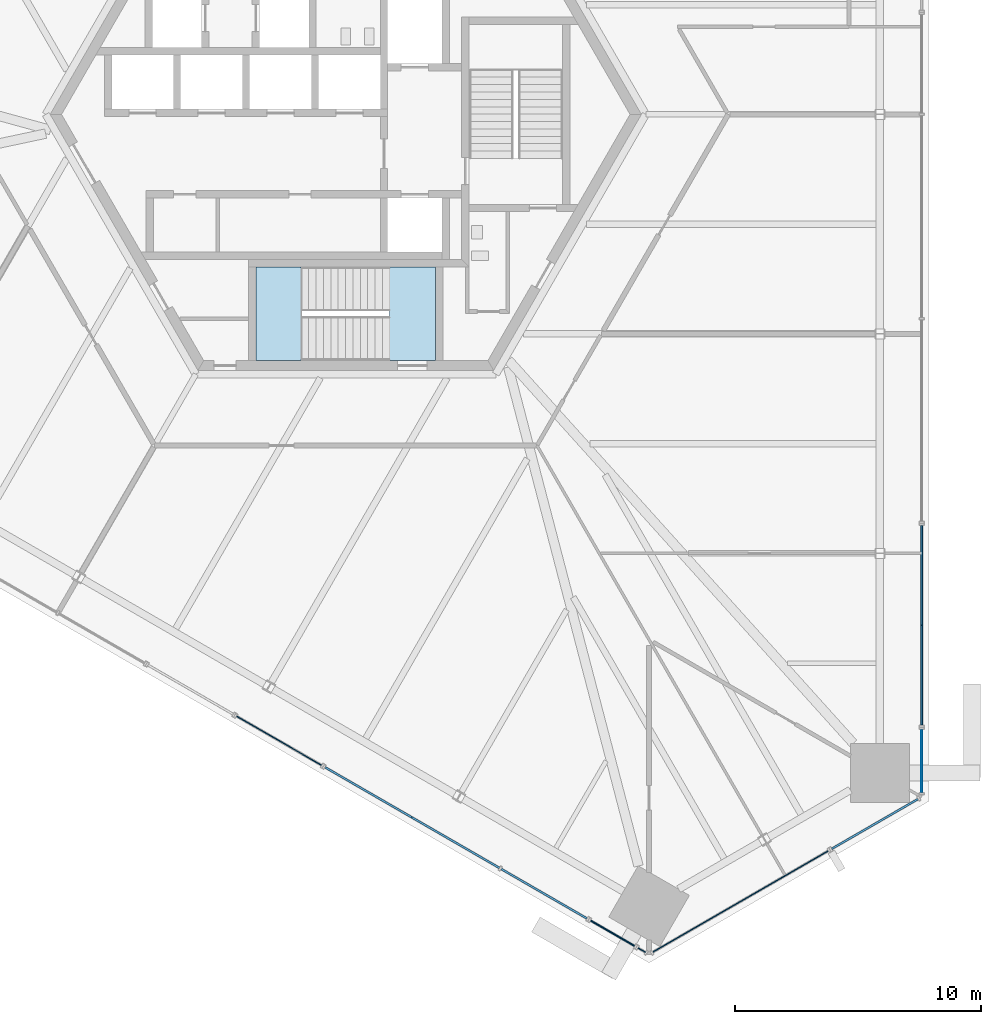
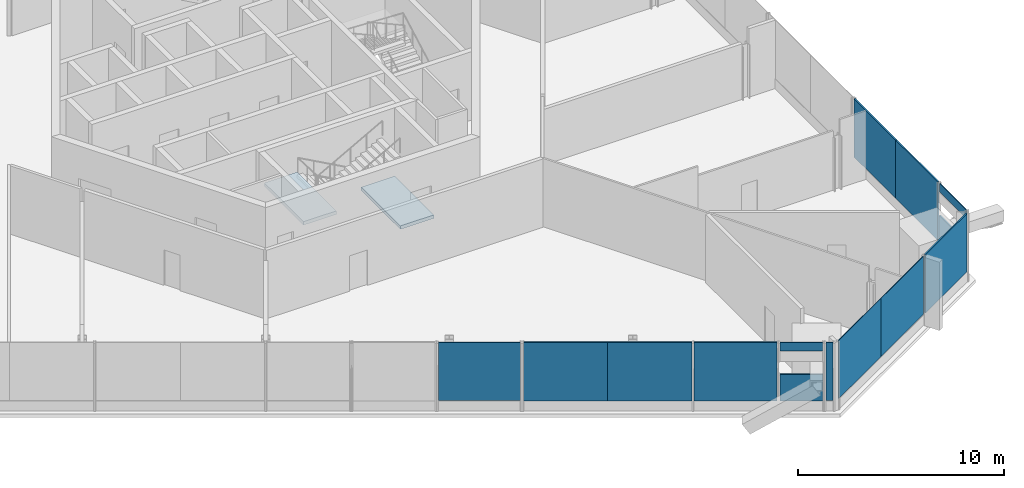
# One storey, part 12 of 22: 14 plates, 2 slabs, 11 elements without a shape of their own.
"""IFC4 building model written with IfcOpenShell, lengths in metres."""

from ifc_helpers import new_model, si_unit, direction, frame, origin, origin_2d, place, context, subcontext, project, spatial, polyline, rectangle, outline, extrude, source, transform, mapped, material, layer, layer_set, type_object, element, aggregate, save


model = new_model("IFC4")

# Units and contexts
model_context = context("Model", 3, precision=1e-05, world=origin(), true_north=direction((0.0, 1.0)))
body_context = subcontext(model_context, "Body", "Model", "MODEL_VIEW")
ifc_project = project(units=[si_unit("LENGTHUNIT", "METRE"), si_unit("AREAUNIT", "SQUARE_METRE"), si_unit("VOLUMEUNIT", "CUBIC_METRE"), si_unit("PLANEANGLEUNIT", "RADIAN"), si_unit("MASSUNIT", "GRAM", prefix="KILO")], contexts=[model_context])

# Site, building, storey
site_placement = place(None, origin())
site = spatial("IfcSite", under=ifc_project, at=site_placement, CompositionType="ELEMENT")
building_placement = place(site_placement, origin())
building = spatial("IfcBuilding", under=site, at=building_placement, Name="Triune Harvest Tower", CompositionType="ELEMENT")
storey_placement = place(building_placement, frame((0.0, 0.0, 50.39990234375)))
storey = spatial("IfcBuildingStorey", under=building, at=storey_placement, Name="L11", CompositionType="ELEMENT", Elevation=50.39990234375)

# Stair, slabs
ifc_material_1 = material(Name="Concrete 40 MPa", Category="concrete")
stair_type = type_object("IfcStairType", Name="Exit stair 1800 half turn", PredefinedType="HALF_TURN_STAIR", material=ifc_material_1)
stair_placement = place(storey_placement, origin())
stair = element("IfcStair", 1, at=stair_placement, inside=storey, type_object=stair_type, Name="Exit stair south", PredefinedType="HALF_TURN_STAIR")
ifc_material_2 = material(Name="Concrete 40 MPa", Category="concrete")
ifc_layer_1 = layer(ifc_material_2, 0.199951171875)
ifc_layer_set_1 = layer_set([ifc_layer_1], Name="Concrete 40 MPa")
slab_type = type_object("IfcSlabType", Name="Stair landing 200", PredefinedType="LANDING", material=ifc_layer_set_1)
shared_shape_1 = source(origin(), body_context, "Body", "SweptSolid", [
    extrude(outline(polyline([(3.64990234375, -6.18994140625), (1.780029296875, -6.18994140625), (1.780029296875, -9.989990234375), (3.64990234375, -9.989990234375), (3.64990234375, -6.18994140625)])), origin(), (0.0, 0.0, 1.0), 0.199951171875),
])
slab_1_placement = place(storey_placement, frame((0.0, 0.0, -0.199951171875)))
slab_1 = element("IfcSlab", 2, at=slab_1_placement, type_object=slab_type, Name="ST-2 landing 1", PredefinedType="LANDING", context=body_context, shape_type="MappedRepresentation", body=[
    mapped(shared_shape_1, transform((0.0, 0.0, 0.0), scale=1.0)),
])
shared_shape_2 = source(origin(), body_context, "Body", "SweptSolid", [
    extrude(outline(polyline([(-1.81005859375, -6.18994140625), (-3.64990234375, -6.18994140625), (-3.64990234375, -9.989990234375), (-1.81005859375, -9.989990234375), (-1.81005859375, -6.18994140625)])), origin(), (0.0, 0.0, 1.0), 0.199951171875),
])
slab_2_placement = place(storey_placement, frame((0.0, 0.0, 1.9501953125)))
slab_2 = element("IfcSlab", 3, at=slab_2_placement, type_object=slab_type, Name="ST-2 landing 2", PredefinedType="LANDING", context=body_context, shape_type="MappedRepresentation", body=[
    mapped(shared_shape_2, transform((0.0, 0.0, 0.0), scale=1.0)),
])
aggregate(stair, [slab_1, slab_2])

# Curtain wall, plate
ifc_material_3 = material(Name="Aluminium bronze anodised", Category="aluminium")
curtain_wall_type_1 = type_object("IfcCurtainWallType", Name="CW-8 Farm floor curtain wall with insulated spandrel infill", PredefinedType="NOTDEFINED", material=ifc_material_3)
curtain_wall_1_placement = place(storey_placement, origin())
curtain_wall_1 = element("IfcCurtainWall", 4, at=curtain_wall_1_placement, inside=storey, type_object=curtain_wall_type_1, Name="CW-8 B1-F1 L11 run 1")
ifc_material_4 = material(Name="Insulated spandrel panel, bronze aluminium pan", Category="aluminium")
ifc_layer_2 = layer(ifc_material_4, 0.080078125)
ifc_layer_set_2 = layer_set([ifc_layer_2], Name="Insulated spandrel panel, bronze aluminium pan")
plate_type_1 = type_object("IfcPlateType", Name="SP-1 insulated spandrel panel 80", PredefinedType="CURTAIN_PANEL", material=ifc_layer_set_2)
shared_shape_3 = source(origin(), body_context, "Body", "SweptSolid", [
    extrude(rectangle(XDim=2.575439453125, YDim=0.080078125, at=origin_2d()), origin(), (0.0, 0.0, 1.0), 1.56494140625),
])
plate_1_placement = place(storey_placement, frame((23.371337890625, -26.2490234375, 0.60009765625), z_axis=(0.0, 0.0, 1.0), x_axis=(0.0, 1.0, 0.0)))
plate_1 = element("IfcPlate", 5, at=plate_1_placement, type_object=plate_type_1, Name="CW-8 panel B1-F1 1.1", PredefinedType="CURTAIN_PANEL", context=body_context, shape_type="MappedRepresentation", body=[
    mapped(shared_shape_3, transform((0.0, 0.0, 0.0), scale=1.0)),
])
aggregate(curtain_wall_1, [plate_1])

ifc_material_5 = material(Name="Aluminium bronze anodised", Category="aluminium")
curtain_wall_type_2 = type_object("IfcCurtainWallType", Name="CW-3 Farm floor curtain wall", PredefinedType="NOTDEFINED", material=ifc_material_5)
curtain_wall_2_placement = place(storey_placement, origin())
curtain_wall_2 = element("IfcCurtainWall", 6, at=curtain_wall_2_placement, inside=storey, type_object=curtain_wall_type_2, Name="CW-3 B1-F1 L11 run 101")
ifc_material_6 = material(Name="Glass", Category="glass")
ifc_layer_3 = layer(ifc_material_6, 0.035888671875)
ifc_layer_set_3 = layer_set([ifc_layer_3], Name="Glass")
plate_type_2 = type_object("IfcPlateType", Name="GL-3 panel 36", PredefinedType="CURTAIN_PANEL", material=ifc_layer_set_3)
shared_shape_4 = source(origin(), body_context, "Body", "SweptSolid", [
    extrude(rectangle(XDim=2.575439453125, YDim=0.035888671875, at=origin_2d()), origin(), (0.0, 0.0, 1.0), 0.514892578125),
])
plate_2_placement = place(storey_placement, frame((23.371337890625, -26.2490234375, 3.53515625), z_axis=(0.0, 0.0, 1.0), x_axis=(0.0, 1.0, 0.0)))
plate_2 = element("IfcPlate", 7, at=plate_2_placement, type_object=plate_type_2, Name="CW-3 panel B1-F1 101.1", PredefinedType="CURTAIN_PANEL", context=body_context, shape_type="MappedRepresentation", body=[
    mapped(shared_shape_4, transform((0.0, 0.0, 0.0), scale=1.0)),
])
aggregate(curtain_wall_2, [plate_2])

# Curtain wall, plates
curtain_wall_3_placement = place(storey_placement, origin())
curtain_wall_3 = element("IfcCurtainWall", 8, at=curtain_wall_3_placement, inside=storey, type_object=curtain_wall_type_1, Name="CW-8 B1-F1 L11 run 201")
shared_shape_5 = source(origin(), body_context, "Body", "SweptSolid", [
    extrude(rectangle(XDim=4.06689453125, YDim=0.080078125, at=origin_2d()), origin(), (0.0, 0.0, 1.0), 3.449951171875),
])
plate_3_placement = place(storey_placement, frame((23.371337890625, -22.76806640625, 0.60009765625), z_axis=(0.0, 0.0, 1.0), x_axis=(0.0, 1.0, 0.0)))
plate_3 = element("IfcPlate", 9, at=plate_3_placement, type_object=plate_type_1, Name="CW-8 panel B1-F1 201.1", PredefinedType="CURTAIN_PANEL", context=body_context, shape_type="MappedRepresentation", body=[
    mapped(shared_shape_5, transform((0.0, 0.0, 0.0), scale=1.0)),
])
plate_4_placement = place(storey_placement, frame((23.371337890625, -18.701171875, 0.60009765625), z_axis=(0.0, 0.0, 1.0), x_axis=(0.0, 1.0, 0.0)))
plate_4 = element("IfcPlate", 10, at=plate_4_placement, type_object=plate_type_1, Name="CW-8 panel B1-F1 201.2", PredefinedType="CURTAIN_PANEL", context=body_context, shape_type="MappedRepresentation", body=[
    mapped(shared_shape_5, transform((0.0, 0.0, 0.0), scale=1.0)),
])
aggregate(curtain_wall_3, [plate_3, plate_4])

# Curtain wall, plate
curtain_wall_4_placement = place(storey_placement, origin())
curtain_wall_4 = element("IfcCurtainWall", 11, at=curtain_wall_4_placement, inside=storey, type_object=curtain_wall_type_1, Name="CW-8 B1-F5 L11 run 3301")
plate_5_placement = place(storey_placement, frame((0.91845703125, -27.517333984375, 0.60009765625), z_axis=(0.0, 0.0, 1.0), x_axis=(0.866024422262, -0.500001700043, 0.0)))
plate_5 = element("IfcPlate", 12, at=plate_5_placement, type_object=plate_type_1, Name="CW-8 panel B1-F5 3301.1", PredefinedType="CURTAIN_PANEL", context=body_context, shape_type="MappedRepresentation", body=[
    mapped(shared_shape_5, transform((0.0, 0.0, 0.0), scale=1.0)),
])

curtain_wall_5_placement = place(storey_placement, origin())
curtain_wall_5 = element("IfcCurtainWall", 13, at=curtain_wall_5_placement, inside=storey, type_object=curtain_wall_type_2, Name="CW-3 B1-F5 L11 run 2301")
shared_shape_6 = source(origin(), body_context, "Body", "SweptSolid", [
    extrude(rectangle(XDim=3.98681640625, YDim=0.035888671875, at=origin_2d()), origin(), (0.0, 0.0, 1.0), 3.449951171875),
])
plate_6_placement = place(storey_placement, frame((-2.70751953125, -25.423828125, 0.60009765625), z_axis=(0.0, 0.0, 1.0), x_axis=(0.866029373971, -0.499993123372, 0.0)))
plate_6 = element("IfcPlate", 14, at=plate_6_placement, type_object=plate_type_2, Name="CW-3 panel B1-F5 2301.1", PredefinedType="CURTAIN_PANEL", context=body_context, shape_type="MappedRepresentation", body=[
    mapped(shared_shape_6, transform((0.0, 0.0, 0.0), scale=1.0)),
])
aggregate(curtain_wall_5, [plate_6])

# Plate
shared_shape_7 = source(origin(), body_context, "Body", "SweptSolid", [
    extrude(rectangle(XDim=4.10693359375, YDim=0.080078125, at=origin_2d()), origin(), (0.0, 0.0, 1.0), 3.449951171875),
])
plate_7_placement = place(storey_placement, frame((4.457763671875, -29.560791015625, 0.60009765625), z_axis=(0.0, 0.0, 1.0), x_axis=(0.866024422262, -0.500001700043, 0.0)))
plate_7 = element("IfcPlate", 15, at=plate_7_placement, type_object=plate_type_1, Name="CW-8 panel B1-F5 3301.2", PredefinedType="CURTAIN_PANEL", context=body_context, shape_type="MappedRepresentation", body=[
    mapped(shared_shape_7, transform((0.0, 0.0, 0.0), scale=1.0)),
])

shared_shape_8 = source(origin(), body_context, "Body", "SweptSolid", [
    extrude(rectangle(XDim=4.02685546875, YDim=0.080078125, at=origin_2d()), origin(), (0.0, 0.0, 1.0), 3.449951171875),
])
plate_8_placement = place(storey_placement, frame((8.04931640625, -31.63427734375, 0.60009765625), z_axis=(0.0, 0.0, 1.0), x_axis=(0.866024422262, -0.500001700043, 0.0)))
plate_8 = element("IfcPlate", 16, at=plate_8_placement, type_object=plate_type_1, Name="CW-8 panel B1-F5 3301.3", PredefinedType="CURTAIN_PANEL", context=body_context, shape_type="MappedRepresentation", body=[
    mapped(shared_shape_8, transform((0.0, 0.0, 0.0), scale=1.0)),
])

aggregate(curtain_wall_4, [plate_5, plate_7, plate_8])

# Curtain wall, plates
curtain_wall_6_placement = place(storey_placement, origin())
curtain_wall_6 = element("IfcCurtainWall", 17, at=curtain_wall_6_placement, inside=storey, type_object=curtain_wall_type_2, Name="CW-3 B1-F6 L11 run 1")
shared_shape_9 = source(origin(), body_context, "Body", "SweptSolid", [
    extrude(rectangle(XDim=4.117919921875, YDim=0.035888671875, at=origin_2d()), origin(), (0.0, 0.0, 1.0), 3.449951171875),
])
plate_9_placement = place(storey_placement, frame((14.239501953125, -32.97900390625, 0.60009765625), z_axis=(0.0, 0.0, 1.0), x_axis=(0.866024848787, 0.500000961283, 0.0)))
plate_9 = element("IfcPlate", 18, at=plate_9_placement, type_object=plate_type_2, Name="CW-3 panel B1-F6 1.1", PredefinedType="CURTAIN_PANEL", context=body_context, shape_type="MappedRepresentation", body=[
    mapped(shared_shape_9, transform((0.0, 0.0, 0.0), scale=1.0)),
])
plate_10_placement = place(storey_placement, frame((17.8056640625, -30.920166015625, 0.60009765625), z_axis=(0.0, 0.0, 1.0), x_axis=(0.866024848787, 0.500000961283, 0.0)))
plate_10 = element("IfcPlate", 19, at=plate_10_placement, type_object=plate_type_2, Name="CW-3 panel B1-F6 1.2", PredefinedType="CURTAIN_PANEL", context=body_context, shape_type="MappedRepresentation", body=[
    mapped(shared_shape_9, transform((0.0, 0.0, 0.0), scale=1.0)),
])
aggregate(curtain_wall_6, [plate_9, plate_10])

# Curtain wall, plate
curtain_wall_7_placement = place(storey_placement, origin())
curtain_wall_7 = element("IfcCurtainWall", 20, at=curtain_wall_7_placement, inside=storey, type_object=curtain_wall_type_1, Name="CW-8 B1-F6 L11 run 1001")
shared_shape_10 = source(origin(), body_context, "Body", "SweptSolid", [
    extrude(rectangle(XDim=4.037841796875, YDim=0.080078125, at=origin_2d()), origin(), (0.0, 0.0, 1.0), 3.449951171875),
])
plate_11_placement = place(storey_placement, frame((21.475830078125, -28.80126953125, 0.60009765625), z_axis=(0.0, 0.0, 1.0), x_axis=(0.866028739203, 0.499994222841, 0.0)))
plate_11 = element("IfcPlate", 21, at=plate_11_placement, type_object=plate_type_1, Name="CW-8 panel B1-F6 1001.1", PredefinedType="CURTAIN_PANEL", context=body_context, shape_type="MappedRepresentation", body=[
    mapped(shared_shape_10, transform((0.0, 0.0, 0.0), scale=1.0)),
])
aggregate(curtain_wall_7, [plate_11])

curtain_wall_8_placement = place(storey_placement, origin())
curtain_wall_8 = element("IfcCurtainWall", 22, at=curtain_wall_8_placement, inside=storey, type_object=curtain_wall_type_1, Name="CW-8 B1-F5 L11 run 401")
shared_shape_11 = source(origin(), body_context, "Body", "SweptSolid", [
    extrude(rectangle(XDim=2.07373046875, YDim=0.080078125, at=origin_2d()), origin(), (0.0, 0.0, 1.0), 1.56494140625),
])
plate_12_placement = place(storey_placement, frame((10.829345703125, -33.2392578125, 0.60009765625), z_axis=(0.0, 0.0, 1.0), x_axis=(0.86603051402, -0.499991148709, 0.0)))
plate_12 = element("IfcPlate", 23, at=plate_12_placement, type_object=plate_type_1, Name="CW-8 panel B1-F5 401.1", PredefinedType="CURTAIN_PANEL", context=body_context, shape_type="MappedRepresentation", body=[
    mapped(shared_shape_11, transform((0.0, 0.0, 0.0), scale=1.0)),
])
aggregate(curtain_wall_8, [plate_12])

curtain_wall_9_placement = place(storey_placement, origin())
curtain_wall_9 = element("IfcCurtainWall", 24, at=curtain_wall_9_placement, inside=storey, type_object=curtain_wall_type_2, Name="CW-3 B1-F5 L11 run 501")
shared_shape_12 = source(origin(), body_context, "Body", "SweptSolid", [
    extrude(rectangle(XDim=2.07373046875, YDim=0.035888671875, at=origin_2d()), origin(), (0.0, 0.0, 1.0), 0.514892578125),
])
plate_13_placement = place(storey_placement, frame((10.829345703125, -33.2392578125, 3.53515625), z_axis=(0.0, 0.0, 1.0), x_axis=(0.86603051402, -0.499991148709, 0.0)))
plate_13 = element("IfcPlate", 25, at=plate_13_placement, type_object=plate_type_2, Name="CW-3 panel B1-F5 501.1", PredefinedType="CURTAIN_PANEL", context=body_context, shape_type="MappedRepresentation", body=[
    mapped(shared_shape_12, transform((0.0, 0.0, 0.0), scale=1.0)),
])
aggregate(curtain_wall_9, [plate_13])

curtain_wall_10_placement = place(storey_placement, origin())
curtain_wall_10 = element("IfcCurtainWall", 26, at=curtain_wall_10_placement, inside=storey, type_object=curtain_wall_type_2, Name="CW-3 B1-F5 L11 run 601")
shared_shape_13 = source(origin(), body_context, "Body", "SweptSolid", [
    extrude(rectangle(XDim=0.341796875, YDim=0.035888671875, at=origin_2d()), origin(), (0.0, 0.0, 1.0), 3.449951171875),
])
plate_14_placement = place(storey_placement, frame((12.013916015625, -33.923095703125, 0.60009765625), z_axis=(0.0, 0.0, 1.0), x_axis=(0.866039577901, -0.499975448906, 0.0)))
plate_14 = element("IfcPlate", 27, at=plate_14_placement, type_object=plate_type_2, Name="CW-3 panel B1-F5 601.1", PredefinedType="CURTAIN_PANEL", context=body_context, shape_type="MappedRepresentation", body=[
    mapped(shared_shape_13, transform((0.0, 0.0, 0.0), scale=1.0)),
])
aggregate(curtain_wall_10, [plate_14])

save(model, "model.ifc")
